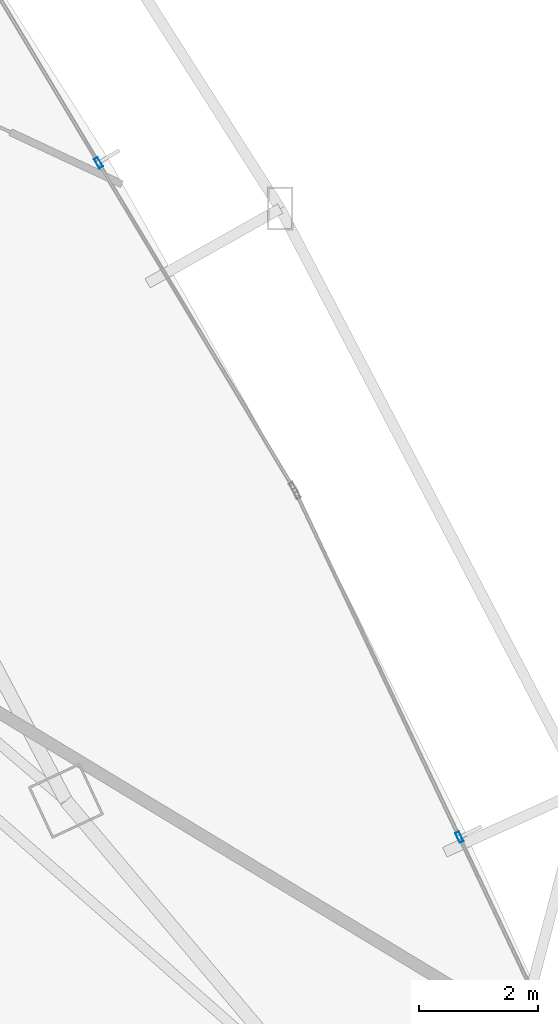
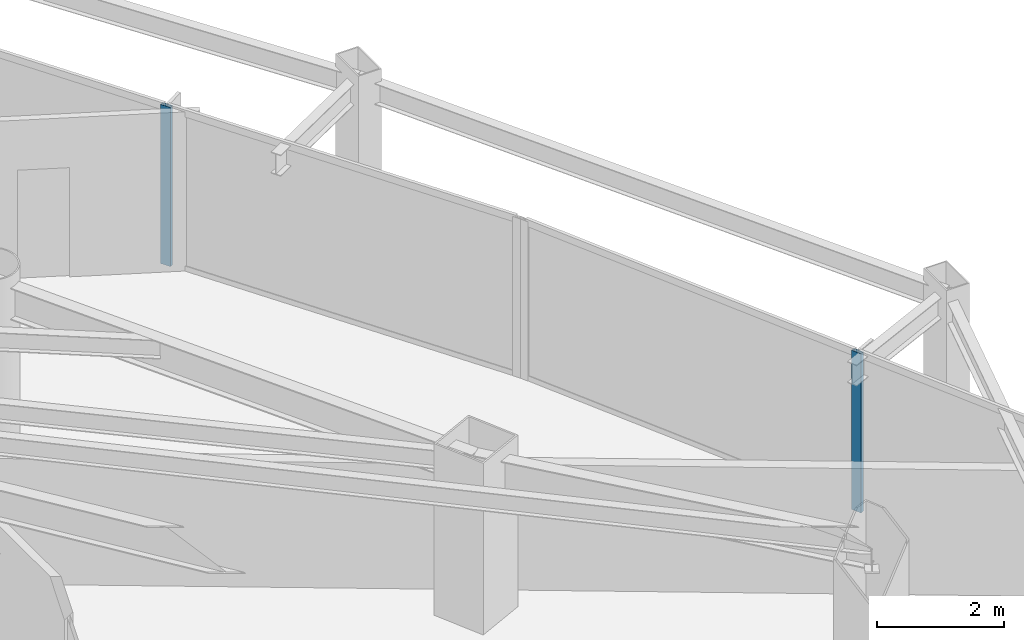
# One storey, part 20 of 38: 2 members, 2 elements without a shape of their own.
"""IFC4 building model written with IfcOpenShell, lengths in metres."""

from ifc_helpers import new_model, si_unit, direction, frame, origin, origin_2d, place, context, subcontext, project, spatial, hollow_rectangle, extrude, material, layer, layer_set, material_profile, profile_set, type_object, element, aggregate, save


model = new_model("IFC4")

# Units and contexts
model_context = context("Model", 3, precision=1e-05, world=origin(), true_north=direction((0.0, 1.0)))
body_context = subcontext(model_context, "Body", "Model", "MODEL_VIEW")
ifc_project = project(units=[si_unit("LENGTHUNIT", "METRE"), si_unit("AREAUNIT", "SQUARE_METRE"), si_unit("VOLUMEUNIT", "CUBIC_METRE"), si_unit("PLANEANGLEUNIT", "RADIAN"), si_unit("MASSUNIT", "GRAM", prefix="KILO")], contexts=[model_context])

# Site, building, storey
site_placement = place(None, origin())
site = spatial("IfcSite", under=ifc_project, at=site_placement, CompositionType="ELEMENT")
building_placement = place(site_placement, origin())
building = spatial("IfcBuilding", under=site, at=building_placement, Name="Orvanel Arch Residences", CompositionType="ELEMENT")
storey_placement = place(building_placement, frame((0.0, 0.0, 46.699951171875)))
storey = spatial("IfcBuildingStorey", under=building, at=storey_placement, Name="L12", CompositionType="ELEMENT", Elevation=46.699951171875)

# Curtain wall, member
ifc_material = material(Name="Bronze-anodised aluminium AA6063-T6", Category="aluminium")
ifc_layer = layer(ifc_material, 0.179931640625)
ifc_layer_set = layer_set([ifc_layer], Name="Bronze-anodised aluminium AA6063-T6")
curtain_wall_type = type_object("IfcCurtainWallType", Name="CW2-LOW-SYS", PredefinedType="NOTDEFINED", material=ifc_layer_set)
curtain_wall_1_placement = place(storey_placement, origin())
curtain_wall_1 = element("IfcCurtainWall", 1, at=curtain_wall_1_placement, inside=storey, type_object=curtain_wall_type, Name="L12 CW2-LOW-SYS Unitised Curtain Wall", PredefinedType="NOTDEFINED")
ifc_material_profile = material_profile(ifc_material, hollow_rectangle(XDim=0.070068359375, YDim=0.179931640625, WallThickness=0.00439453125, at=origin_2d()), Name="ALU180x70x4.5")
ifc_profile_set = profile_set([ifc_material_profile], Name="Bronze-anodised aluminium AA6063-T6")
member_type = type_object("IfcMemberType", Name="MUL-180x70", PredefinedType="MULLION", material=ifc_profile_set)
member_1_placement = place(storey_placement, frame((56.221923828125, 19.033447265625, 0.0), z_axis=(0.0, 0.0, 1.0), x_axis=(-0.903580469731, -0.42841841081, 0.0)))
member_1 = element("IfcMember", 2, at=member_1_placement, type_object=member_type, Name="CW-S2 mullion 2", PredefinedType="MULLION", context=body_context, shape_type="SweptSolid", body=[
    extrude(hollow_rectangle(XDim=0.070068359375, YDim=0.179931640625, WallThickness=0.00439453125, at=origin_2d()), origin(), (0.0, 0.0, 1.0), 3.06005859375),
])
aggregate(curtain_wall_1, [member_1])

curtain_wall_2_placement = place(storey_placement, origin())
curtain_wall_2 = element("IfcCurtainWall", 3, at=curtain_wall_2_placement, inside=storey, type_object=curtain_wall_type, Name="L12 CW2-LOW-SYS Unitised Curtain Wall", PredefinedType="NOTDEFINED")
member_2_placement = place(storey_placement, frame((50.177978515625, 30.326416015625, 0.0), z_axis=(0.0, 0.0, 1.0), x_axis=(-0.857569020053, -0.514368910263, 0.0)))
member_2 = element("IfcMember", 4, at=member_2_placement, type_object=member_type, Name="CW-S2 mullion 2", PredefinedType="MULLION", context=body_context, shape_type="SweptSolid", body=[
    extrude(hollow_rectangle(XDim=0.070068359375, YDim=0.179931640625, WallThickness=0.00439453125, at=origin_2d()), origin(), (0.0, 0.0, 1.0), 3.06005859375),
])
aggregate(curtain_wall_2, [member_2])

save(model, "model.ifc")
